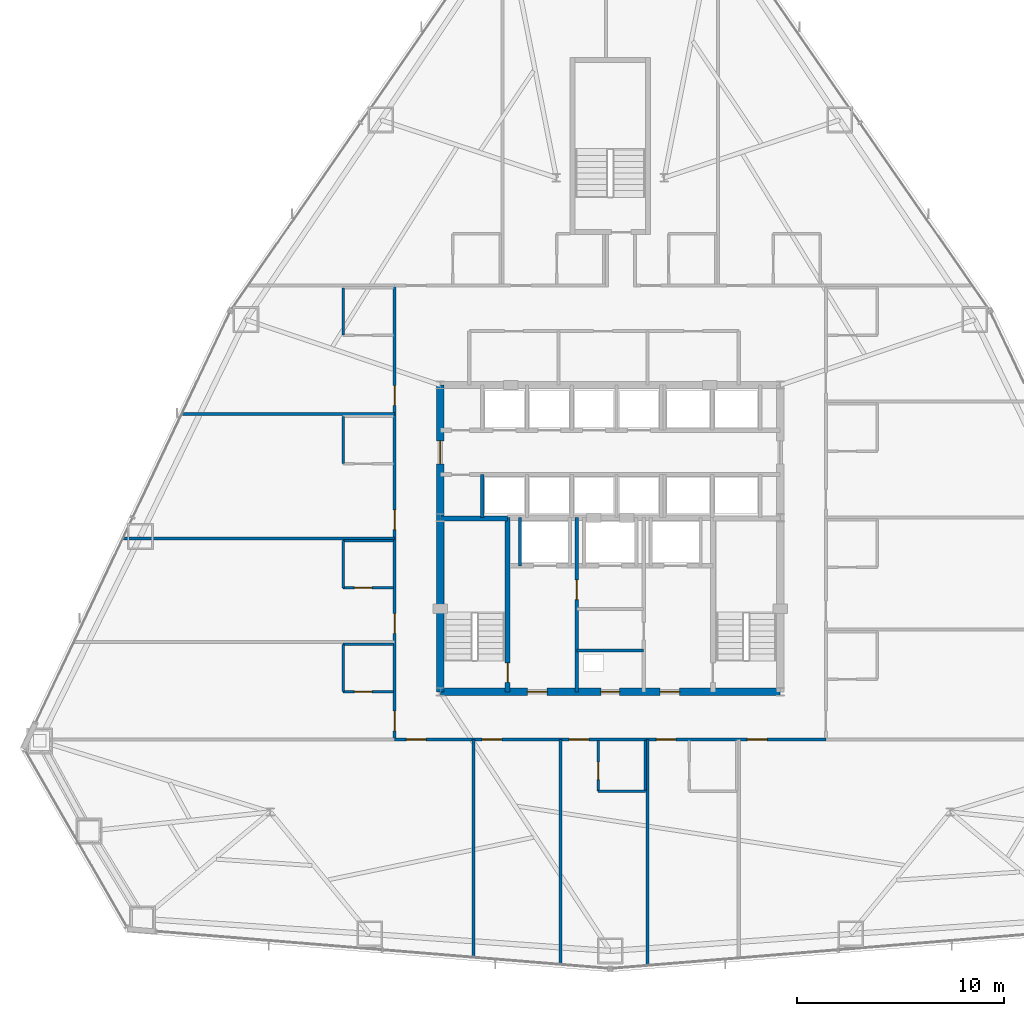
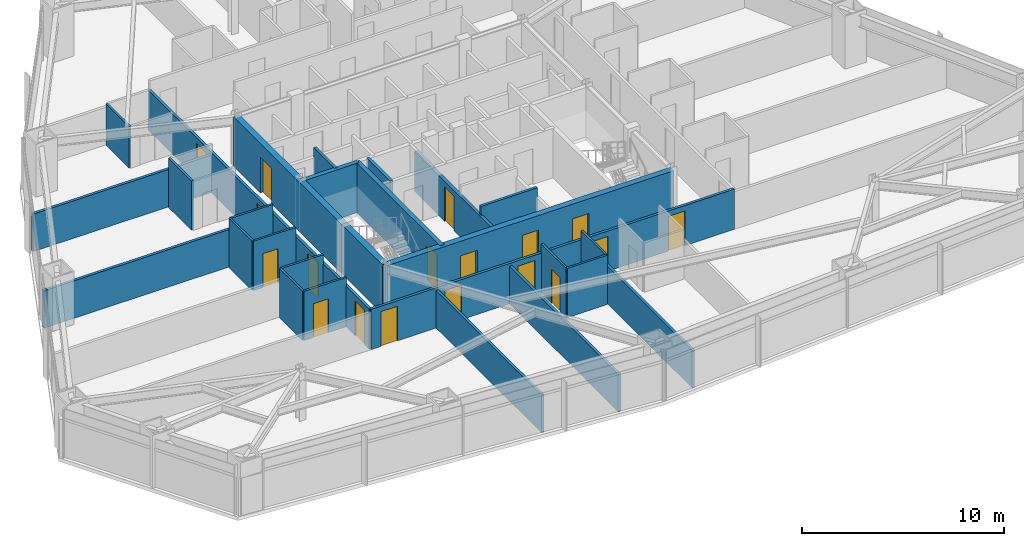
# One storey, part 9 of 13: 26 walls, 18 doors, 18 openings.
"""IFC4 building model written with IfcOpenShell, lengths in metres."""

from ifc_helpers import new_model, si_unit, direction, frame, frame_2d, origin, place, context, subcontext, project, spatial, rectangle, extrude, material, layer, layer_set, type_object, element, fill, save


model = new_model("IFC4")

# Units and contexts
model_context = context("Model", 3, precision=1e-05, world=origin(), true_north=direction((0.0, 1.0)))
body_context = subcontext(model_context, "Body", "Model", "MODEL_VIEW")
ifc_project = project(units=[si_unit("LENGTHUNIT", "METRE"), si_unit("AREAUNIT", "SQUARE_METRE"), si_unit("VOLUMEUNIT", "CUBIC_METRE"), si_unit("PLANEANGLEUNIT", "RADIAN"), si_unit("MASSUNIT", "GRAM", prefix="KILO")], contexts=[model_context])

# Site, building, storey
site_placement = place(None, origin())
site = spatial("IfcSite", under=ifc_project, at=site_placement, CompositionType="ELEMENT")
building_placement = place(site_placement, origin())
building = spatial("IfcBuilding", under=site, at=building_placement, Name="Varakhsha Concourse Tower", CompositionType="ELEMENT")
storey_placement = place(building_placement, frame((0.0, 0.0, 46.39990234375)))
storey = spatial("IfcBuildingStorey", under=building, at=storey_placement, Name="L12", CompositionType="ELEMENT", Elevation=46.39990234375)

# Wall, openings, doors
ifc_material_1 = material(Name="Concrete fc 65 MPa", Category="concrete")
ifc_layer_1 = layer(ifc_material_1, 0.35009765625, Name="WL-CORE-350")
ifc_layer_set_1 = layer_set([ifc_layer_1], Name="Concrete fc 65 MPa")
wall_type_1 = type_object("IfcWallType", Name="WL-CORE-350", PredefinedType="SHEAR", material=ifc_layer_set_1)
wall_1_placement = place(storey_placement, frame((31.800048828125, 16.39990234375, 0.0), z_axis=(0.0, 0.0, 1.0), x_axis=(1.0, 0.0, 0.0)))
wall_1 = element("IfcWall", 1, at=wall_1_placement, inside=storey, type_object=wall_type_1, Name="L12 Wall CWALL-S-L12", PredefinedType="SHEAR", context=body_context, shape_type="SweptSolid", body=[
    extrude(rectangle(XDim=16.39990234375, YDim=0.35009765625, at=frame_2d((8.199951171875, 0.0))), origin(), (0.0, 0.0, 1.0), 2.97998046875),
])
opening_1_placement = place(wall_1_placement, frame((7.75, 0.0, 0.0)))
opening_1 = element("IfcOpeningElement", 2, at=opening_1_placement, cuts=wall_1, Name="Opening DF-06", PredefinedType="OPENING", context=body_context, shape_type="SweptSolid", body=[
    extrude(rectangle(XDim=0.89990234375, YDim=2.10009765625, at=frame_2d((0.449951171875, 1.050048828125))), frame((0.0, 0.18505859375, 0.0), z_axis=(0.0, -1.0, 0.0), x_axis=(1.0, 0.0, 0.0)), (0.0, 0.0, 1.0), 0.3701171875),
])
opening_2_placement = place(wall_1_placement, frame((4.199951171875, 0.0, 0.0)))
opening_2 = element("IfcOpeningElement", 3, at=opening_2_placement, cuts=wall_1, Name="Opening DF-05", PredefinedType="OPENING", context=body_context, shape_type="SweptSolid", body=[
    extrude(rectangle(XDim=0.949951171875, YDim=2.10009765625, at=frame_2d((0.47509765625, 1.050048828125))), frame((0.0, 0.18505859375, 0.0), z_axis=(0.0, -1.0, 0.0), x_axis=(1.0, 0.0, 0.0)), (0.0, 0.0, 1.0), 0.3701171875),
])
opening_3_placement = place(wall_1_placement, frame((10.60009765625, 0.0, 0.0)))
opening_3 = element("IfcOpeningElement", 4, at=opening_3_placement, cuts=wall_1, Name="Opening DF-05", PredefinedType="OPENING", context=body_context, shape_type="SweptSolid", body=[
    extrude(rectangle(XDim=0.949951171875, YDim=2.10009765625, at=frame_2d((0.47509765625, 1.050048828125))), frame((0.0, 0.18505859375, 0.0), z_axis=(0.0, -1.0, 0.0), x_axis=(1.0, 0.0, 0.0)), (0.0, 0.0, 1.0), 0.3701171875),
])
ifc_material_2 = material(Name="Hollow Galvanised Steel Fire Door Assembly", Category="steel")
door_type_1 = type_object("IfcDoorType", Name="DR-FD60-900", OperationType="NOTDEFINED", PredefinedType="DOOR", material=ifc_material_2)
door_1_placement = place(opening_1_placement, origin())
door_1 = element("IfcDoor", 5, at=door_1_placement, inside=storey, type_object=door_type_1, Name="L12 Electrical Riser Door", OperationType="SINGLE_SWING_LEFT", OverallHeight=2.10009765625, OverallWidth=0.89990234375, PredefinedType="DOOR", context=body_context, shape_type="SweptSolid", body=[
    extrude(rectangle(XDim=0.89990234375, YDim=2.10009765625, at=frame_2d((0.449951171875, 1.050048828125))), frame((0.0, 0.02490234375, 0.0), z_axis=(0.0, -1.0, 0.0), x_axis=(1.0, 0.0, 0.0)), (0.0, 0.0, 1.0), 0.050048828125),
])
fill(opening_1, door_1)
door_type_2 = type_object("IfcDoorType", Name="DR-FD60-950", OperationType="NOTDEFINED", PredefinedType="DOOR", material=ifc_material_2)
door_2_placement = place(opening_2_placement, origin())
door_2 = element("IfcDoor", 6, at=door_2_placement, inside=storey, type_object=door_type_2, Name="L12 Firefighting Lobby West Door", OperationType="SINGLE_SWING_RIGHT", OverallHeight=2.10009765625, OverallWidth=0.949951171875, PredefinedType="DOOR", context=body_context, shape_type="SweptSolid", body=[
    extrude(rectangle(XDim=0.949951171875, YDim=2.10009765625, at=frame_2d((0.47509765625, 1.050048828125))), frame((0.0, 0.02490234375, 0.0), z_axis=(0.0, -1.0, 0.0), x_axis=(1.0, 0.0, 0.0)), (0.0, 0.0, 1.0), 0.050048828125),
])
fill(opening_2, door_2)
door_3_placement = place(opening_3_placement, origin())
door_3 = element("IfcDoor", 7, at=door_3_placement, inside=storey, type_object=door_type_2, Name="L12 Firefighting Lobby East Door", OperationType="SINGLE_SWING_LEFT", OverallHeight=2.10009765625, OverallWidth=0.949951171875, PredefinedType="DOOR", context=body_context, shape_type="SweptSolid", body=[
    extrude(rectangle(XDim=0.949951171875, YDim=2.10009765625, at=frame_2d((0.47509765625, 1.050048828125))), frame((0.0, 0.02490234375, 0.0), z_axis=(0.0, -1.0, 0.0), x_axis=(1.0, 0.0, 0.0)), (0.0, 0.0, 1.0), 0.050048828125),
])
fill(opening_3, door_3)

# Wall, opening, door
wall_2_placement = place(storey_placement, frame((31.800048828125, 16.39990234375, 0.0), z_axis=(0.0, 0.0, 1.0), x_axis=(0.0, 1.0, 0.0)))
wall_2 = element("IfcWall", 8, at=wall_2_placement, inside=storey, type_object=wall_type_1, Name="L12 Wall CWALL-W-L12", PredefinedType="SHEAR", context=body_context, shape_type="SweptSolid", body=[
    extrude(rectangle(XDim=14.800048828125, YDim=0.35009765625, at=frame_2d((7.39990234375, 0.0))), origin(), (0.0, 0.0, 1.0), 2.97998046875),
])
opening_4_placement = place(wall_2_placement, frame((11.0, 0.0, 0.0)))
opening_4 = element("IfcOpeningElement", 9, at=opening_4_placement, cuts=wall_2, Name="Opening DL-01", PredefinedType="OPENING", context=body_context, shape_type="SweptSolid", body=[
    extrude(rectangle(XDim=1.10009765625, YDim=2.14990234375, at=frame_2d((0.550048828125, 1.074951171875))), frame((0.0, 0.18505859375, 0.0), z_axis=(0.0, -1.0, 0.0), x_axis=(1.0, 0.0, 0.0)), (0.0, 0.0, 1.0), 0.3701171875),
])
ifc_material_3 = material(Name="Anodised Bronze Architectural Aluminium AA 6063-T6", Category="aluminium")
door_type_3 = type_object("IfcDoorType", Name="DR-LOB-1100", OperationType="NOTDEFINED", PredefinedType="DOOR", material=ifc_material_3)
door_4_placement = place(opening_4_placement, origin())
door_4 = element("IfcDoor", 10, at=door_4_placement, inside=storey, type_object=door_type_3, Name="L12 Lift Lobby West Concourse Door", OperationType="SINGLE_SWING_LEFT", OverallHeight=2.14990234375, OverallWidth=1.10009765625, PredefinedType="DOOR", context=body_context, shape_type="SweptSolid", body=[
    extrude(rectangle(XDim=1.10009765625, YDim=2.14990234375, at=frame_2d((0.550048828125, 1.074951171875))), frame((0.0, 0.02490234375, 0.0), z_axis=(0.0, -1.0, 0.0), x_axis=(1.0, 0.0, 0.0)), (0.0, 0.0, 1.0), 0.050048828125),
])
fill(opening_4, door_4)

ifc_material_4 = material(Name="Fire-Rated Type X Gypsum Partition Assembly", Category="gypsum")
ifc_layer_2 = layer(ifc_material_4, 0.179931640625, Name="WL-FFLOB-180")
ifc_layer_set_2 = layer_set([ifc_layer_2], Name="Fire-Rated Type X Gypsum Partition Assembly")
wall_type_2 = type_object("IfcWallType", Name="WL-FFLOB-180", PredefinedType="PARTITIONING", material=ifc_layer_set_2)
wall_3_placement = place(storey_placement, frame((38.389892578125, 16.39990234375, 0.0), z_axis=(0.0, 0.0, 1.0), x_axis=(0.0, 1.0, 0.0)))
wall_3 = element("IfcWall", 11, at=wall_3_placement, inside=storey, type_object=wall_type_2, Name="L12 Wall FFW-1E-L12", PredefinedType="PARTITIONING", context=body_context, shape_type="SweptSolid", body=[
    extrude(rectangle(XDim=8.400146484375, YDim=0.179931640625, at=frame_2d((4.2001953125, 0.0))), origin(), (0.0, 0.0, 1.0), 2.43115234375),
])
opening_5_placement = place(wall_3_placement, frame((4.449951171875, 0.0, 0.0)))
opening_5 = element("IfcOpeningElement", 12, at=opening_5_placement, cuts=wall_3, Name="Opening DF-05", PredefinedType="OPENING", context=body_context, shape_type="SweptSolid", body=[
    extrude(rectangle(XDim=0.949951171875, YDim=2.10009765625, at=frame_2d((0.47509765625, 1.050048828125))), frame((0.0, 0.099853515625, 0.0), z_axis=(0.0, -1.0, 0.0), x_axis=(1.0, 0.0, 0.0)), (0.0, 0.0, 1.0), 0.199951171875),
])
door_5_placement = place(opening_5_placement, origin())
door_5 = element("IfcDoor", 13, at=door_5_placement, inside=storey, type_object=door_type_2, Name="L12 Service Vestibule Door", OperationType="SINGLE_SWING_RIGHT", OverallHeight=2.10009765625, OverallWidth=0.949951171875, PredefinedType="DOOR", context=body_context, shape_type="SweptSolid", body=[
    extrude(rectangle(XDim=0.949951171875, YDim=2.10009765625, at=frame_2d((0.47509765625, 1.050048828125))), frame((0.0, 0.02490234375, 0.0), z_axis=(0.0, -1.0, 0.0), x_axis=(1.0, 0.0, 0.0)), (0.0, 0.0, 1.0), 0.050048828125),
])
fill(opening_5, door_5)

ifc_material_5 = material(Name="Acoustic Gypsum Board Partition Assembly", Category="gypsum")
ifc_layer_3 = layer(ifc_material_5, 0.1201171875, Name="WL-PART-120")
ifc_layer_set_3 = layer_set([ifc_layer_3], Name="Acoustic Gypsum Board Partition Assembly")
wall_type_3 = type_object("IfcWallType", Name="WL-PART-120", PredefinedType="PARTITIONING", material=ifc_layer_set_3)
wall_4_placement = place(storey_placement, frame((39.409912109375, 11.610107421875, 0.0), z_axis=(0.0, 0.0, 1.0), x_axis=(0.0, 1.0, 0.0)))
wall_4 = element("IfcWall", 14, at=wall_4_placement, inside=storey, type_object=wall_type_3, Name="L12 Wall ENSW-W-L12-H03", PredefinedType="PARTITIONING", context=body_context, shape_type="SweptSolid", body=[
    extrude(rectangle(XDim=2.429931640625, YDim=0.1201171875, at=frame_2d((1.21484375, 0.0))), origin(), (0.0, 0.0, 1.0), 2.97998046875),
])
opening_6_placement = place(wall_4_placement, frame((0.550048828125, 0.0, 0.0)))
opening_6 = element("IfcOpeningElement", 15, at=opening_6_placement, cuts=wall_4, Name="Opening DI-01", PredefinedType="OPENING", context=body_context, shape_type="SweptSolid", body=[
    extrude(rectangle(XDim=0.85009765625, YDim=2.050048828125, at=frame_2d((0.425048828125, 1.02490234375))), frame((0.0, 0.070068359375, 0.0), z_axis=(0.0, -1.0, 0.0), x_axis=(1.0, 0.0, 0.0)), (0.0, 0.0, 1.0), 0.14013671875),
])
ifc_material_6 = material(Name="Architectural Walnut Acoustic Timber Door", Category="wood")
door_type_4 = type_object("IfcDoorType", Name="DR-INT-850", OperationType="NOTDEFINED", PredefinedType="DOOR", material=ifc_material_6)
door_6_placement = place(opening_6_placement, origin())
door_6 = element("IfcDoor", 16, at=door_6_placement, inside=storey, type_object=door_type_4, Name="L12 En-suite Bathroom Door L12-H03", OperationType="SINGLE_SWING_RIGHT", OverallHeight=2.050048828125, OverallWidth=0.85009765625, PredefinedType="DOOR", context=body_context, shape_type="SweptSolid", body=[
    extrude(rectangle(XDim=0.85009765625, YDim=2.050048828125, at=frame_2d((0.425048828125, 1.02490234375))), frame((0.0, 0.02490234375, 0.0), z_axis=(0.0, -1.0, 0.0), x_axis=(1.0, 0.0, 0.0)), (0.0, 0.0, 1.0), 0.050048828125),
])
fill(opening_6, door_6)

# Walls
wall_5_placement = place(storey_placement, frame((41.68994140625, 11.610107421875, 0.0), z_axis=(0.0, 0.0, 1.0), x_axis=(0.0, 1.0, 0.0)))
element("IfcWall", 17, at=wall_5_placement, inside=storey, type_object=wall_type_3, Name="L12 Wall ENSW-E-L12-H03", PredefinedType="PARTITIONING", context=body_context, shape_type="SweptSolid", body=[
    extrude(rectangle(XDim=2.429931640625, YDim=0.1201171875, at=frame_2d((1.21484375, 0.0))), origin(), (0.0, 0.0, 1.0), 2.97998046875),
])
for number, where, z_axis, x_axis, name in (
    (18, (39.409912109375, 11.610107421875, 0.0), (0.0, 0.0, 1.0), (1.0, 0.0, 0.0), "L12 Wall ENSW-S-L12-H03"),
    (19, (27.110107421875, 16.409912109375, 0.0), (0.0, 0.0, 1.0), (0.0, 1.0, 0.0), "L12 Wall ENSW-W-L12-H06"),
):
    element("IfcWall", number, at=place(storey_placement, frame(where, z_axis=z_axis, x_axis=x_axis)), inside=storey, type_object=wall_type_3, Name=name, PredefinedType="PARTITIONING", context=body_context, shape_type="SweptSolid", body=[
        extrude(rectangle(XDim=2.280029296875, YDim=0.1201171875, at=frame_2d((1.14013671875, 0.0))), origin(), (0.0, 0.0, 1.0), 2.97998046875),
    ])

# Wall, opening, door
wall_6_placement = place(storey_placement, frame((27.110107421875, 16.409912109375, 0.0), z_axis=(0.0, 0.0, 1.0), x_axis=(1.0, 0.0, 0.0)))
wall_6 = element("IfcWall", 20, at=wall_6_placement, inside=storey, type_object=wall_type_3, Name="L12 Wall ENSW-S-L12-H06", PredefinedType="PARTITIONING", context=body_context, shape_type="SweptSolid", body=[
    extrude(rectangle(XDim=2.429931640625, YDim=0.1201171875, at=frame_2d((1.21484375, 0.0))), origin(), (0.0, 0.0, 1.0), 2.97998046875),
])
opening_7_placement = place(wall_6_placement, frame((0.550048828125, 0.0, 0.0)))
opening_7 = element("IfcOpeningElement", 21, at=opening_7_placement, cuts=wall_6, Name="Opening DI-01", PredefinedType="OPENING", context=body_context, shape_type="SweptSolid", body=[
    extrude(rectangle(XDim=0.85009765625, YDim=2.050048828125, at=frame_2d((0.425048828125, 1.02490234375))), frame((0.0, 0.070068359375, 0.0), z_axis=(0.0, -1.0, 0.0), x_axis=(1.0, 0.0, 0.0)), (0.0, 0.0, 1.0), 0.14013671875),
])
door_7_placement = place(opening_7_placement, origin())
door_7 = element("IfcDoor", 22, at=door_7_placement, inside=storey, type_object=door_type_4, Name="L12 En-suite Bathroom Door L12-H06", OperationType="SINGLE_SWING_RIGHT", OverallHeight=2.050048828125, OverallWidth=0.85009765625, PredefinedType="DOOR", context=body_context, shape_type="SweptSolid", body=[
    extrude(rectangle(XDim=0.85009765625, YDim=2.050048828125, at=frame_2d((0.425048828125, 1.02490234375))), frame((0.0, 0.02490234375, 0.0), z_axis=(0.0, -1.0, 0.0), x_axis=(1.0, 0.0, 0.0)), (0.0, 0.0, 1.0), 0.050048828125),
])
fill(opening_7, door_7)

# Walls
wall_7_placement = place(storey_placement, frame((27.110107421875, 18.68994140625, 0.0), z_axis=(0.0, 0.0, 1.0), x_axis=(1.0, 0.0, 0.0)))
element("IfcWall", 23, at=wall_7_placement, inside=storey, type_object=wall_type_3, Name="L12 Wall ENSW-N-L12-H06", PredefinedType="PARTITIONING", context=body_context, shape_type="SweptSolid", body=[
    extrude(rectangle(XDim=2.429931640625, YDim=0.1201171875, at=frame_2d((1.21484375, 0.0))), origin(), (0.0, 0.0, 1.0), 2.97998046875),
])
wall_8_placement = place(storey_placement, frame((27.110107421875, 21.409912109375, 0.0), z_axis=(0.0, 0.0, 1.0), x_axis=(0.0, 1.0, 0.0)))
element("IfcWall", 24, at=wall_8_placement, inside=storey, type_object=wall_type_3, Name="L12 Wall ENSW-W-L12-H07", PredefinedType="PARTITIONING", context=body_context, shape_type="SweptSolid", body=[
    extrude(rectangle(XDim=2.280029296875, YDim=0.1201171875, at=frame_2d((1.14013671875, 0.0))), origin(), (0.0, 0.0, 1.0), 2.97998046875),
])

# Wall, opening, door
wall_9_placement = place(storey_placement, frame((27.110107421875, 21.409912109375, 0.0), z_axis=(0.0, 0.0, 1.0), x_axis=(1.0, 0.0, 0.0)))
wall_9 = element("IfcWall", 25, at=wall_9_placement, inside=storey, type_object=wall_type_3, Name="L12 Wall ENSW-S-L12-H07", PredefinedType="PARTITIONING", context=body_context, shape_type="SweptSolid", body=[
    extrude(rectangle(XDim=2.429931640625, YDim=0.1201171875, at=frame_2d((1.21484375, 0.0))), origin(), (0.0, 0.0, 1.0), 2.97998046875),
])
opening_8_placement = place(wall_9_placement, frame((0.550048828125, 0.0, 0.0)))
opening_8 = element("IfcOpeningElement", 26, at=opening_8_placement, cuts=wall_9, Name="Opening DI-01", PredefinedType="OPENING", context=body_context, shape_type="SweptSolid", body=[
    extrude(rectangle(XDim=0.85009765625, YDim=2.050048828125, at=frame_2d((0.425048828125, 1.02490234375))), frame((0.0, 0.070068359375, 0.0), z_axis=(0.0, -1.0, 0.0), x_axis=(1.0, 0.0, 0.0)), (0.0, 0.0, 1.0), 0.14013671875),
])
door_8_placement = place(opening_8_placement, origin())
door_8 = element("IfcDoor", 27, at=door_8_placement, inside=storey, type_object=door_type_4, Name="L12 En-suite Bathroom Door L12-H07", OperationType="SINGLE_SWING_RIGHT", OverallHeight=2.050048828125, OverallWidth=0.85009765625, PredefinedType="DOOR", context=body_context, shape_type="SweptSolid", body=[
    extrude(rectangle(XDim=0.85009765625, YDim=2.050048828125, at=frame_2d((0.425048828125, 1.02490234375))), frame((0.0, 0.02490234375, 0.0), z_axis=(0.0, -1.0, 0.0), x_axis=(1.0, 0.0, 0.0)), (0.0, 0.0, 1.0), 0.050048828125),
])
fill(opening_8, door_8)

# Walls
wall_10_placement = place(storey_placement, frame((27.110107421875, 23.68994140625, 0.0), z_axis=(0.0, 0.0, 1.0), x_axis=(1.0, 0.0, 0.0)))
element("IfcWall", 28, at=wall_10_placement, inside=storey, type_object=wall_type_3, Name="L12 Wall ENSW-N-L12-H07", PredefinedType="PARTITIONING", context=body_context, shape_type="SweptSolid", body=[
    extrude(rectangle(XDim=2.429931640625, YDim=0.1201171875, at=frame_2d((1.21484375, 0.0))), origin(), (0.0, 0.0, 1.0), 2.97998046875),
])
wall_11_placement = place(storey_placement, frame((27.110107421875, 27.409912109375, 0.0), z_axis=(0.0, 0.0, 1.0), x_axis=(0.0, 1.0, 0.0)))
element("IfcWall", 29, at=wall_11_placement, inside=storey, type_object=wall_type_3, Name="L12 Wall ENSW-W-L12-H08", PredefinedType="PARTITIONING", context=body_context, shape_type="SweptSolid", body=[
    extrude(rectangle(XDim=2.280029296875, YDim=0.1201171875, at=frame_2d((1.14013671875, 0.0))), origin(), (0.0, 0.0, 1.0), 2.97998046875),
])
wall_12_placement = place(storey_placement, frame((27.110107421875, 33.610107421875, 0.0), z_axis=(0.0, 0.0, 1.0), x_axis=(0.0, 1.0, 0.0)))
element("IfcWall", 30, at=wall_12_placement, inside=storey, type_object=wall_type_3, Name="L12 Wall ENSW-W-L12-H09", PredefinedType="PARTITIONING", context=body_context, shape_type="SweptSolid", body=[
    extrude(rectangle(XDim=2.27978515625, YDim=0.1201171875, at=frame_2d((1.139892578125, 0.0))), origin(), (0.0, 0.0, 1.0), 2.51318359375),
])
ifc_layer_4 = layer(ifc_material_4, 0.14990234375, Name="WL-PART-150")
ifc_layer_set_4 = layer_set([ifc_layer_4], Name="Fire-Rated Type X Gypsum Partition Assembly")
wall_type_4 = type_object("IfcWallType", Name="WL-PART-150", PredefinedType="PARTITIONING", material=ifc_layer_set_4)
wall_13_placement = place(storey_placement, frame((38.389892578125, 18.39990234375, 0.0), z_axis=(0.0, 0.0, 1.0), x_axis=(1.0, 0.0, 0.0)))
element("IfcWall", 31, at=wall_13_placement, inside=storey, type_object=wall_type_4, Name="L12 Wall RSW-H1-L12", PredefinedType="PARTITIONING", context=body_context, shape_type="SweptSolid", body=[
    extrude(rectangle(XDim=3.22021484375, YDim=0.14990234375, at=frame_2d((1.610107421875, 0.0))), origin(), (0.0, 0.0, 1.0), 2.97998046875),
])

# Wall, openings, doors
wall_14_placement = place(storey_placement, frame((29.60009765625, 14.10009765625, 0.0), z_axis=(0.0, 0.0, 1.0), x_axis=(1.0, 0.0, 0.0)))
wall_14 = element("IfcWall", 32, at=wall_14_placement, inside=storey, type_object=wall_type_4, Name="L12 Wall CRW-S-L12", PredefinedType="PARTITIONING", context=body_context, shape_type="SweptSolid", body=[
    extrude(rectangle(XDim=20.7998046875, YDim=0.14990234375, at=frame_2d((10.39990234375, 0.0))), origin(), (0.0, 0.0, 1.0), 2.43115234375),
])
opening_9_placement = place(wall_14_placement, frame((0.570068359375, 0.0, 0.0)))
opening_9 = element("IfcOpeningElement", 33, at=opening_9_placement, cuts=wall_14, Name="Opening DF-05", PredefinedType="OPENING", context=body_context, shape_type="SweptSolid", body=[
    extrude(rectangle(XDim=0.949951171875, YDim=2.10009765625, at=frame_2d((0.47509765625, 1.050048828125))), frame((0.0, 0.0849609375, 0.0), z_axis=(0.0, -1.0, 0.0), x_axis=(1.0, 0.0, 0.0)), (0.0, 0.0, 1.0), 0.169921875),
])
opening_10_placement = place(wall_14_placement, frame((4.219970703125, 0.0, 0.0)))
opening_10 = element("IfcOpeningElement", 34, at=opening_10_placement, cuts=wall_14, Name="Opening DF-05", PredefinedType="OPENING", context=body_context, shape_type="SweptSolid", body=[
    extrude(rectangle(XDim=0.949951171875, YDim=2.10009765625, at=frame_2d((0.47509765625, 1.050048828125))), frame((0.0, 0.0849609375, 0.0), z_axis=(0.0, -1.0, 0.0), x_axis=(1.0, 0.0, 0.0)), (0.0, 0.0, 1.0), 0.169921875),
])
opening_11_placement = place(wall_14_placement, frame((8.419921875, 0.0, 0.0)))
opening_11 = element("IfcOpeningElement", 35, at=opening_11_placement, cuts=wall_14, Name="Opening DF-05", PredefinedType="OPENING", context=body_context, shape_type="SweptSolid", body=[
    extrude(rectangle(XDim=0.949951171875, YDim=2.10009765625, at=frame_2d((0.47509765625, 1.050048828125))), frame((0.0, 0.0849609375, 0.0), z_axis=(0.0, -1.0, 0.0), x_axis=(1.0, 0.0, 0.0)), (0.0, 0.0, 1.0), 0.169921875),
])
opening_12_placement = place(wall_14_placement, frame((12.6201171875, 0.0, 0.0)))
opening_12 = element("IfcOpeningElement", 36, at=opening_12_placement, cuts=wall_14, Name="Opening DF-05", PredefinedType="OPENING", context=body_context, shape_type="SweptSolid", body=[
    extrude(rectangle(XDim=0.949951171875, YDim=2.10009765625, at=frame_2d((0.47509765625, 1.050048828125))), frame((0.0, 0.0849609375, 0.0), z_axis=(0.0, -1.0, 0.0), x_axis=(1.0, 0.0, 0.0)), (0.0, 0.0, 1.0), 0.169921875),
])
opening_13_placement = place(wall_14_placement, frame((17.02001953125, 0.0, 0.0)))
opening_13 = element("IfcOpeningElement", 37, at=opening_13_placement, cuts=wall_14, Name="Opening DF-05", PredefinedType="OPENING", context=body_context, shape_type="SweptSolid", body=[
    extrude(rectangle(XDim=0.949951171875, YDim=2.10009765625, at=frame_2d((0.47509765625, 1.050048828125))), frame((0.0, 0.0849609375, 0.0), z_axis=(0.0, -1.0, 0.0), x_axis=(1.0, 0.0, 0.0)), (0.0, 0.0, 1.0), 0.169921875),
])
door_9_placement = place(opening_9_placement, origin())
door_9 = element("IfcDoor", 38, at=door_9_placement, inside=storey, type_object=door_type_2, Name="L12 Hotel Executive Salon L12-H01 Door", OperationType="SINGLE_SWING_LEFT", OverallHeight=2.10009765625, OverallWidth=0.949951171875, PredefinedType="DOOR", context=body_context, shape_type="SweptSolid", body=[
    extrude(rectangle(XDim=0.949951171875, YDim=2.10009765625, at=frame_2d((0.47509765625, 1.050048828125))), frame((0.0, 0.02490234375, 0.0), z_axis=(0.0, -1.0, 0.0), x_axis=(1.0, 0.0, 0.0)), (0.0, 0.0, 1.0), 0.050048828125),
])
fill(opening_9, door_9)
door_10_placement = place(opening_10_placement, origin())
door_10 = element("IfcDoor", 39, at=door_10_placement, inside=storey, type_object=door_type_2, Name="L12 Business Center Salon L12-H02 Door", OperationType="SINGLE_SWING_RIGHT", OverallHeight=2.10009765625, OverallWidth=0.949951171875, PredefinedType="DOOR", context=body_context, shape_type="SweptSolid", body=[
    extrude(rectangle(XDim=0.949951171875, YDim=2.10009765625, at=frame_2d((0.47509765625, 1.050048828125))), frame((0.0, 0.02490234375, 0.0), z_axis=(0.0, -1.0, 0.0), x_axis=(1.0, 0.0, 0.0)), (0.0, 0.0, 1.0), 0.050048828125),
])
fill(opening_10, door_10)
door_11_placement = place(opening_11_placement, origin())
door_11 = element("IfcDoor", 40, at=door_11_placement, inside=storey, type_object=door_type_2, Name="L12 Hotel Guest Room L12-H03 Entry Door", OperationType="SINGLE_SWING_LEFT", OverallHeight=2.10009765625, OverallWidth=0.949951171875, PredefinedType="DOOR", context=body_context, shape_type="SweptSolid", body=[
    extrude(rectangle(XDim=0.949951171875, YDim=2.10009765625, at=frame_2d((0.47509765625, 1.050048828125))), frame((0.0, 0.02490234375, 0.0), z_axis=(0.0, -1.0, 0.0), x_axis=(1.0, 0.0, 0.0)), (0.0, 0.0, 1.0), 0.050048828125),
])
fill(opening_11, door_11)
door_12_placement = place(opening_12_placement, origin())
door_12 = element("IfcDoor", 41, at=door_12_placement, inside=storey, type_object=door_type_2, Name="L12 Hotel Guest Room L12-H04 Entry Door", OperationType="SINGLE_SWING_RIGHT", OverallHeight=2.10009765625, OverallWidth=0.949951171875, PredefinedType="DOOR", context=body_context, shape_type="SweptSolid", body=[
    extrude(rectangle(XDim=0.949951171875, YDim=2.10009765625, at=frame_2d((0.47509765625, 1.050048828125))), frame((0.0, 0.02490234375, 0.0), z_axis=(0.0, -1.0, 0.0), x_axis=(1.0, 0.0, 0.0)), (0.0, 0.0, 1.0), 0.050048828125),
])
fill(opening_12, door_12)
door_13_placement = place(opening_13_placement, origin())
door_13 = element("IfcDoor", 42, at=door_13_placement, inside=storey, type_object=door_type_2, Name="L12 Hotel Executive Salon L12-H05 Door", OperationType="SINGLE_SWING_LEFT", OverallHeight=2.10009765625, OverallWidth=0.949951171875, PredefinedType="DOOR", context=body_context, shape_type="SweptSolid", body=[
    extrude(rectangle(XDim=0.949951171875, YDim=2.10009765625, at=frame_2d((0.47509765625, 1.050048828125))), frame((0.0, 0.02490234375, 0.0), z_axis=(0.0, -1.0, 0.0), x_axis=(1.0, 0.0, 0.0)), (0.0, 0.0, 1.0), 0.050048828125),
])
fill(opening_13, door_13)

wall_15_placement = place(storey_placement, frame((29.60009765625, 14.10009765625, 0.0), z_axis=(0.0, 0.0, 1.0), x_axis=(0.0, 1.0, 0.0)))
wall_15 = element("IfcWall", 43, at=wall_15_placement, inside=storey, type_object=wall_type_4, Name="L12 Wall CRW-W-L12", PredefinedType="PARTITIONING", context=body_context, shape_type="SweptSolid", body=[
    extrude(rectangle(XDim=21.89990234375, YDim=0.14990234375, at=frame_2d((10.949951171875, 0.0))), origin(), (0.0, 0.0, 1.0), 2.43115234375),
])
opening_14_placement = place(wall_15_placement, frame((0.419921875, 0.0, 0.0)))
opening_14 = element("IfcOpeningElement", 44, at=opening_14_placement, cuts=wall_15, Name="Opening DF-05", PredefinedType="OPENING", context=body_context, shape_type="SweptSolid", body=[
    extrude(rectangle(XDim=0.949951171875, YDim=2.10009765625, at=frame_2d((0.47509765625, 1.050048828125))), frame((0.0, 0.0849609375, 0.0), z_axis=(0.0, -1.0, 0.0), x_axis=(1.0, 0.0, 0.0)), (0.0, 0.0, 1.0), 0.169921875),
])
opening_15_placement = place(wall_15_placement, frame((5.1201171875, 0.0, 0.0)))
opening_15 = element("IfcOpeningElement", 45, at=opening_15_placement, cuts=wall_15, Name="Opening DF-05", PredefinedType="OPENING", context=body_context, shape_type="SweptSolid", body=[
    extrude(rectangle(XDim=0.949951171875, YDim=2.10009765625, at=frame_2d((0.47509765625, 1.050048828125))), frame((0.0, 0.0849609375, 0.0), z_axis=(0.0, -1.0, 0.0), x_axis=(1.0, 0.0, 0.0)), (0.0, 0.0, 1.0), 0.169921875),
])
opening_16_placement = place(wall_15_placement, frame((10.1201171875, 0.0, 0.0)))
opening_16 = element("IfcOpeningElement", 46, at=opening_16_placement, cuts=wall_15, Name="Opening DF-05", PredefinedType="OPENING", context=body_context, shape_type="SweptSolid", body=[
    extrude(rectangle(XDim=0.949951171875, YDim=2.10009765625, at=frame_2d((0.47509765625, 1.050048828125))), frame((0.0, 0.0849609375, 0.0), z_axis=(0.0, -1.0, 0.0), x_axis=(1.0, 0.0, 0.0)), (0.0, 0.0, 1.0), 0.169921875),
])
opening_17_placement = place(wall_15_placement, frame((16.1201171875, 0.0, 0.0)))
opening_17 = element("IfcOpeningElement", 47, at=opening_17_placement, cuts=wall_15, Name="Opening DF-05", PredefinedType="OPENING", context=body_context, shape_type="SweptSolid", body=[
    extrude(rectangle(XDim=0.949951171875, YDim=2.10009765625, at=frame_2d((0.47509765625, 1.050048828125))), frame((0.0, 0.0849609375, 0.0), z_axis=(0.0, -1.0, 0.0), x_axis=(1.0, 0.0, 0.0)), (0.0, 0.0, 1.0), 0.169921875),
])
door_14_placement = place(opening_14_placement, origin())
door_14 = element("IfcDoor", 48, at=door_14_placement, inside=storey, type_object=door_type_2, Name="L12 Hotel Corner Suite L12-H06 Entry Door", OperationType="SINGLE_SWING_RIGHT", OverallHeight=2.10009765625, OverallWidth=0.949951171875, PredefinedType="DOOR", context=body_context, shape_type="SweptSolid", body=[
    extrude(rectangle(XDim=0.949951171875, YDim=2.10009765625, at=frame_2d((0.47509765625, 1.050048828125))), frame((0.0, 0.02490234375, 0.0), z_axis=(0.0, -1.0, 0.0), x_axis=(1.0, 0.0, 0.0)), (0.0, 0.0, 1.0), 0.050048828125),
])
fill(opening_14, door_14)
door_15_placement = place(opening_15_placement, origin())
door_15 = element("IfcDoor", 49, at=door_15_placement, inside=storey, type_object=door_type_2, Name="L12 Hotel Corner Suite L12-H07 Entry Door", OperationType="SINGLE_SWING_LEFT", OverallHeight=2.10009765625, OverallWidth=0.949951171875, PredefinedType="DOOR", context=body_context, shape_type="SweptSolid", body=[
    extrude(rectangle(XDim=0.949951171875, YDim=2.10009765625, at=frame_2d((0.47509765625, 1.050048828125))), frame((0.0, 0.02490234375, 0.0), z_axis=(0.0, -1.0, 0.0), x_axis=(1.0, 0.0, 0.0)), (0.0, 0.0, 1.0), 0.050048828125),
])
fill(opening_15, door_15)
door_16_placement = place(opening_16_placement, origin())
door_16 = element("IfcDoor", 50, at=door_16_placement, inside=storey, type_object=door_type_2, Name="L12 Hotel Corner Suite L12-H08 Entry Door", OperationType="SINGLE_SWING_RIGHT", OverallHeight=2.10009765625, OverallWidth=0.949951171875, PredefinedType="DOOR", context=body_context, shape_type="SweptSolid", body=[
    extrude(rectangle(XDim=0.949951171875, YDim=2.10009765625, at=frame_2d((0.47509765625, 1.050048828125))), frame((0.0, 0.02490234375, 0.0), z_axis=(0.0, -1.0, 0.0), x_axis=(1.0, 0.0, 0.0)), (0.0, 0.0, 1.0), 0.050048828125),
])
fill(opening_16, door_16)
door_17_placement = place(opening_17_placement, origin())
door_17 = element("IfcDoor", 51, at=door_17_placement, inside=storey, type_object=door_type_2, Name="L12 Hotel Corner Suite L12-H09 Entry Door", OperationType="SINGLE_SWING_LEFT", OverallHeight=2.10009765625, OverallWidth=0.949951171875, PredefinedType="DOOR", context=body_context, shape_type="SweptSolid", body=[
    extrude(rectangle(XDim=0.949951171875, YDim=2.10009765625, at=frame_2d((0.47509765625, 1.050048828125))), frame((0.0, 0.02490234375, 0.0), z_axis=(0.0, -1.0, 0.0), x_axis=(1.0, 0.0, 0.0)), (0.0, 0.0, 1.0), 0.050048828125),
])
fill(opening_17, door_17)

# Walls
wall_16_placement = place(storey_placement, frame((33.39990234375, 3.593505859375, 0.0), z_axis=(0.0, 0.0, 1.0), x_axis=(0.0, 1.0, 0.0)))
element("IfcWall", 52, at=wall_16_placement, inside=storey, type_object=wall_type_4, Name="L12 Wall HDIV-S1-L12", PredefinedType="PARTITIONING", context=body_context, shape_type="SweptSolid", body=[
    extrude(rectangle(XDim=10.506591796875, YDim=0.14990234375, at=frame_2d((5.25341796875, 0.0))), origin(), (0.0, 0.0, 1.0), 2.26806640625),
])
wall_17_placement = place(storey_placement, frame((37.60009765625, 3.24951171875, 0.0), z_axis=(0.0, 0.0, 1.0), x_axis=(0.0, 1.0, 0.0)))
element("IfcWall", 53, at=wall_17_placement, inside=storey, type_object=wall_type_4, Name="L12 Wall HDIV-S2-L12", PredefinedType="PARTITIONING", context=body_context, shape_type="SweptSolid", body=[
    extrude(rectangle(XDim=10.8505859375, YDim=0.14990234375, at=frame_2d((5.42529296875, 0.0))), origin(), (0.0, 0.0, 1.0), 2.26806640625),
])
wall_18_placement = place(storey_placement, frame((41.800048828125, 3.2001953125, 0.0), z_axis=(0.0, 0.0, 1.0), x_axis=(0.0, 1.0, 0.0)))
element("IfcWall", 54, at=wall_18_placement, inside=storey, type_object=wall_type_4, Name="L12 Wall HDIV-S3-L12", PredefinedType="PARTITIONING", context=body_context, shape_type="SweptSolid", body=[
    extrude(rectangle(XDim=10.89990234375, YDim=0.14990234375, at=frame_2d((5.449951171875, 0.0))), origin(), (0.0, 0.0, 1.0), 2.26806640625),
])
wall_19_placement = place(storey_placement, frame((16.4951171875, 23.800048828125, 0.0), z_axis=(0.0, 0.0, 1.0), x_axis=(1.0, 0.0, 0.0)))
element("IfcWall", 55, at=wall_19_placement, inside=storey, type_object=wall_type_4, Name="L12 Wall HDIV-W2-L12", PredefinedType="PARTITIONING", context=body_context, shape_type="SweptSolid", body=[
    extrude(rectangle(XDim=13.10498046875, YDim=0.14990234375, at=frame_2d((6.552490234375, 0.0))), origin(), (0.0, 0.0, 1.0), 2.26806640625),
])
wall_20_placement = place(storey_placement, frame((19.333251953125, 29.800048828125, 0.0), z_axis=(0.0, 0.0, 1.0), x_axis=(1.0, 0.0, 0.0)))
element("IfcWall", 56, at=wall_20_placement, inside=storey, type_object=wall_type_4, Name="L12 Wall HDIV-W3-L12", PredefinedType="PARTITIONING", context=body_context, shape_type="SweptSolid", body=[
    extrude(rectangle(XDim=10.266845703125, YDim=0.14990234375, at=frame_2d((5.13330078125, 0.0))), origin(), (0.0, 0.0, 1.0), 2.26806640625),
])
ifc_layer_5 = layer(ifc_material_4, 0.199951171875, Name="WL-SHAFT-220")
ifc_layer_set_5 = layer_set([ifc_layer_5], Name="Fire-Rated Type X Gypsum Partition Assembly")
wall_type_5 = type_object("IfcWallType", Name="WL-SHAFT-220", PredefinedType="SOLIDWALL", material=ifc_layer_set_5)
wall_21_placement = place(storey_placement, frame((35.64990234375, 22.47998046875, 0.0), z_axis=(0.0, 0.0, 1.0), x_axis=(0.0, 1.0, 0.0)))
element("IfcWall", 57, at=wall_21_placement, inside=storey, type_object=wall_type_5, Name="L12 Wall SHW-FFL-1-W-L12", PredefinedType="SOLIDWALL", context=body_context, shape_type="SweptSolid", body=[
    extrude(rectangle(XDim=2.320068359375, YDim=0.159912109375, at=frame_2d((1.16015625, 0.0))), origin(), (0.0, 0.0, 1.0), 2.97998046875),
])
wall_22_placement = place(storey_placement, frame((33.820068359375, 24.800048828125, 0.0), z_axis=(0.0, 0.0, 1.0), x_axis=(0.0, 1.0, 0.0)))
element("IfcWall", 58, at=wall_22_placement, inside=storey, type_object=wall_type_5, Name="L12 Wall WBOH-E2-L12", PredefinedType="SOLIDWALL", context=body_context, shape_type="SweptSolid", body=[
    extrude(rectangle(XDim=2.079833984375, YDim=0.159912109375, at=frame_2d((1.0400390625, 0.0))), origin(), (0.0, 0.0, 1.0), 2.97998046875),
])

# Wall, opening, door
ifc_material_7 = material(Name="Concrete fc 45 MPa", Category="concrete")
ifc_layer_6 = layer(ifc_material_7, 0.25, Name="WL-STAIR-250")
ifc_layer_set_6 = layer_set([ifc_layer_6], Name="Concrete fc 45 MPa")
wall_type_6 = type_object("IfcWallType", Name="WL-STAIR-250", PredefinedType="SHEAR", material=ifc_layer_set_6)
wall_23_placement = place(storey_placement, frame((35.044921875, 16.39990234375, 0.0), z_axis=(0.0, 0.0, 1.0), x_axis=(0.0, 1.0, 0.0)))
wall_23 = element("IfcWall", 59, at=wall_23_placement, inside=storey, type_object=wall_type_6, Name="L12 Wall SWALL-ST1-E-L12", PredefinedType="SHEAR", context=body_context, shape_type="SweptSolid", body=[
    extrude(rectangle(XDim=8.400146484375, YDim=0.25, at=frame_2d((4.2001953125, 0.0))), origin(), (0.0, 0.0, 1.0), 2.97998046875),
])
opening_18_placement = place(wall_23_placement, frame((0.449951171875, 0.0, 0.0)))
opening_18 = element("IfcOpeningElement", 60, at=opening_18_placement, cuts=wall_23, Name="Opening DF-03", PredefinedType="OPENING", context=body_context, shape_type="SweptSolid", body=[
    extrude(rectangle(XDim=0.949951171875, YDim=2.10009765625, at=frame_2d((0.47509765625, 1.050048828125))), frame((0.0, 0.135009765625, 0.0), z_axis=(0.0, -1.0, 0.0), x_axis=(1.0, 0.0, 0.0)), (0.0, 0.0, 1.0), 0.27001953125),
])
door_type_5 = type_object("IfcDoorType", Name="DR-FD90-950", OperationType="NOTDEFINED", PredefinedType="DOOR", material=ifc_material_2)
door_18_placement = place(opening_18_placement, origin())
door_18 = element("IfcDoor", 61, at=door_18_placement, inside=storey, type_object=door_type_5, Name="L12 Stair ST1 Fire Door", OperationType="SINGLE_SWING_LEFT", OverallHeight=2.10009765625, OverallWidth=0.949951171875, PredefinedType="DOOR", context=body_context, shape_type="SweptSolid", body=[
    extrude(rectangle(XDim=0.949951171875, YDim=2.10009765625, at=frame_2d((0.47509765625, 1.050048828125))), frame((0.0, 0.02490234375, 0.0), z_axis=(0.0, -1.0, 0.0), x_axis=(1.0, 0.0, 0.0)), (0.0, 0.0, 1.0), 0.050048828125),
])
fill(opening_18, door_18)

# Wall
wall_24_placement = place(storey_placement, frame((31.800048828125, 24.7548828125, 0.0), z_axis=(0.0, 0.0, 1.0), x_axis=(1.0, 0.0, 0.0)))
element("IfcWall", 62, at=wall_24_placement, inside=storey, type_object=wall_type_6, Name="L12 Wall SWALL-ST1-N-L12", PredefinedType="SHEAR", context=body_context, shape_type="SweptSolid", body=[
    extrude(rectangle(XDim=3.244873046875, YDim=0.25, at=frame_2d((1.62255859375, 0.0))), origin(), (0.0, 0.0, 1.0), 2.97998046875),
])

save(model, "model.ifc")
